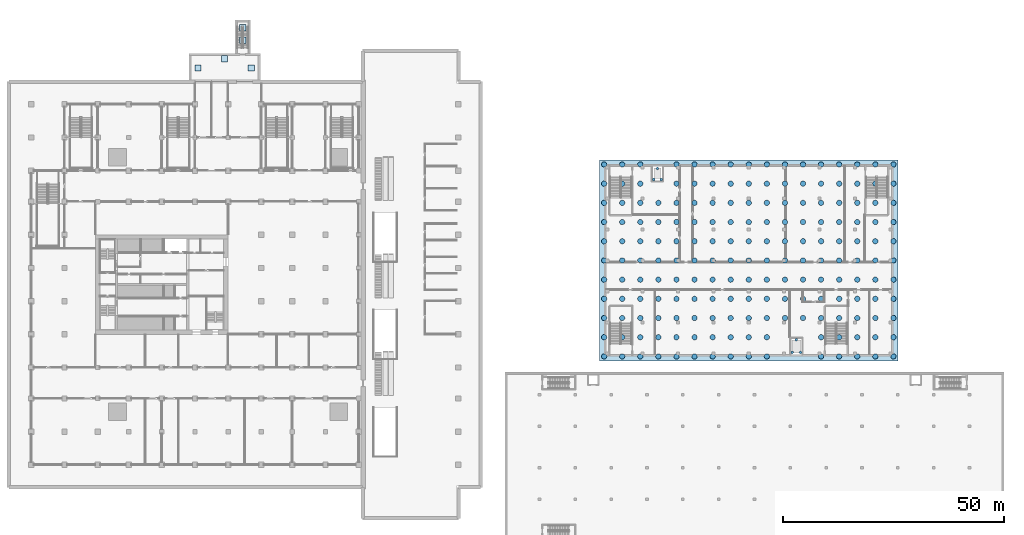
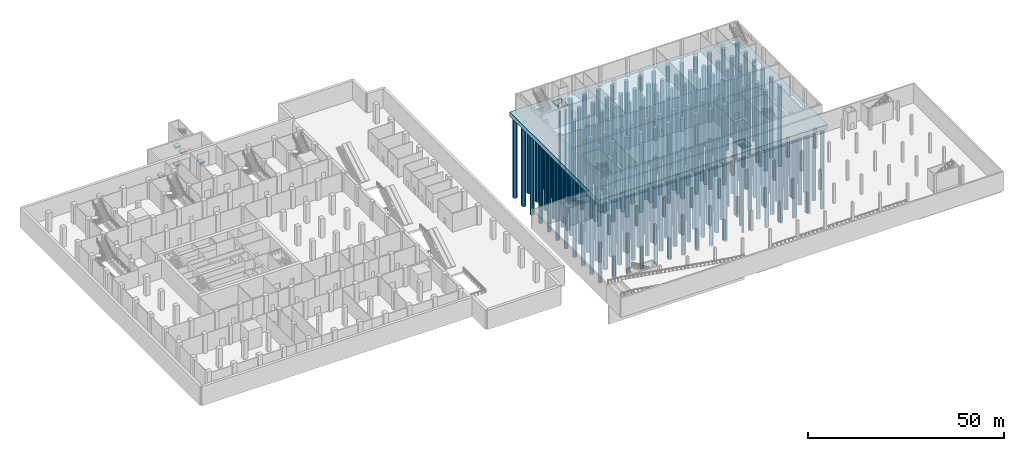
# One storey, part 1 of 45: 187 piles, 6 footings.
"""IFC4 building model written with IfcOpenShell, lengths in metres."""

from ifc_helpers import new_model, si_unit, direction, frame, origin, origin_2d, place, context, subcontext, project, spatial, polyline, rectangle, circle, outline, extrude, material, layer, layer_set, material_profile, profile_set, type_object, element, save


model = new_model("IFC4")

# Units and contexts
model_context = context("Model", 3, precision=1e-05, world=origin(), true_north=direction((0.0, 1.0)))
body_context = subcontext(model_context, "Body", "Model", "MODEL_VIEW")
ifc_project = project(units=[si_unit("LENGTHUNIT", "METRE"), si_unit("AREAUNIT", "SQUARE_METRE"), si_unit("VOLUMEUNIT", "CUBIC_METRE"), si_unit("PLANEANGLEUNIT", "RADIAN"), si_unit("MASSUNIT", "GRAM", prefix="KILO")], contexts=[model_context])

# Site, building, storey
site_placement = place(None, origin())
site = spatial("IfcSite", under=ifc_project, at=site_placement, CompositionType="ELEMENT")
building_placement = place(site_placement, origin())
building = spatial("IfcBuilding", under=site, at=building_placement, Name="Tamorin Gate", CompositionType="ELEMENT")
storey_placement = place(building_placement, frame((0.0, 0.0, -6.0)))
storey = spatial("IfcBuildingStorey", under=building, at=storey_placement, Name="B1", CompositionType="ELEMENT", Elevation=-6.0)

# Piles
ifc_material = material(Name="Concrete C40/50", Category="concrete")
ifc_material_profile_1 = material_profile(ifc_material, circle(Radius=0.60009765625, at=origin_2d()))
ifc_profile_set_1 = profile_set([ifc_material_profile_1], Name="Concrete C40/50")
pile_type_1 = type_object("IfcPileType", Name="Bored pile 1200 C40/50", PredefinedType="BORED", material=ifc_profile_set_1)
for number, where, z_axis, x_axis, name in (
    (1, (145.0, 55.0, -1.60009765625), (0.0, 0.0, -1.0), (1.0, 0.0, 0.0), "Museum pile"),
    (2, (145.0, 59.340087890625, -1.60009765625), (0.0, 0.0, -1.0), (1.0, 0.0, 0.0), "Museum pile"),
    (3, (145.0, 63.679931640625, -1.60009765625), (0.0, 0.0, -1.0), (1.0, 0.0, 0.0), "Museum pile"),
    (4, (145.0, 68.02001953125, -1.60009765625), (0.0, 0.0, -1.0), (1.0, 0.0, 0.0), "Museum pile"),
    (5, (145.0, 72.360107421875, -1.60009765625), (0.0, 0.0, -1.0), (1.0, 0.0, 0.0), "Museum pile"),
    (6, (145.0, 76.699951171875, -1.60009765625), (0.0, 0.0, -1.0), (1.0, 0.0, 0.0), "Museum pile"),
    (7, (145.0, 81.0400390625, -1.60009765625), (0.0, 0.0, -1.0), (1.0, 0.0, 0.0), "Museum pile"),
    (8, (145.0, 85.3798828125, -1.60009765625), (0.0, 0.0, -1.0), (1.0, 0.0, 0.0), "Museum pile"),
    (9, (145.0, 89.719970703125, -1.60009765625), (0.0, 0.0, -1.0), (1.0, 0.0, 0.0), "Museum pile"),
    (10, (145.0, 94.06005859375, -1.60009765625), (0.0, 0.0, -1.0), (1.0, 0.0, 0.0), "Museum pile"),
    (11, (145.0, 98.39990234375, -1.60009765625), (0.0, 0.0, -1.0), (1.0, 0.0, 0.0), "Museum pile"),
    (12, (149.08740234375, 55.0, -1.60009765625), (0.0, 0.0, -1.0), (1.0, 0.0, 0.0), "Museum pile"),
    (13, (149.08740234375, 59.340087890625, -1.60009765625), (0.0, 0.0, -1.0), (1.0, 0.0, 0.0), "Museum pile"),
    (14, (149.08740234375, 63.679931640625, -1.60009765625), (0.0, 0.0, -1.0), (1.0, 0.0, 0.0), "Museum pile"),
    (15, (149.08740234375, 68.02001953125, -1.60009765625), (0.0, 0.0, -1.0), (1.0, 0.0, 0.0), "Museum pile"),
    (16, (149.08740234375, 72.360107421875, -1.60009765625), (0.0, 0.0, -1.0), (1.0, 0.0, 0.0), "Museum pile"),
    (17, (149.08740234375, 76.699951171875, -1.60009765625), (0.0, 0.0, -1.0), (1.0, 0.0, 0.0), "Museum pile"),
    (18, (149.08740234375, 81.0400390625, -1.60009765625), (0.0, 0.0, -1.0), (1.0, 0.0, 0.0), "Museum pile"),
    (19, (149.08740234375, 85.3798828125, -1.60009765625), (0.0, 0.0, -1.0), (1.0, 0.0, 0.0), "Museum pile"),
    (20, (149.08740234375, 89.719970703125, -1.60009765625), (0.0, 0.0, -1.0), (1.0, 0.0, 0.0), "Museum pile"),
    (21, (149.08740234375, 94.06005859375, -1.60009765625), (0.0, 0.0, -1.0), (1.0, 0.0, 0.0), "Museum pile"),
    (22, (149.08740234375, 98.39990234375, -1.60009765625), (0.0, 0.0, -1.0), (1.0, 0.0, 0.0), "Museum pile"),
    (23, (153.175048828125, 55.0, -1.60009765625), (0.0, 0.0, -1.0), (1.0, 0.0, 0.0), "Museum pile"),
    (24, (153.175048828125, 59.340087890625, -1.60009765625), (0.0, 0.0, -1.0), (1.0, 0.0, 0.0), "Museum pile"),
    (25, (153.175048828125, 63.679931640625, -1.60009765625), (0.0, 0.0, -1.0), (1.0, 0.0, 0.0), "Museum pile"),
    (26, (153.175048828125, 68.02001953125, -1.60009765625), (0.0, 0.0, -1.0), (1.0, 0.0, 0.0), "Museum pile"),
    (27, (153.175048828125, 72.360107421875, -1.60009765625), (0.0, 0.0, -1.0), (1.0, 0.0, 0.0), "Museum pile"),
    (28, (153.175048828125, 76.699951171875, -1.60009765625), (0.0, 0.0, -1.0), (1.0, 0.0, 0.0), "Museum pile"),
    (29, (153.175048828125, 81.0400390625, -1.60009765625), (0.0, 0.0, -1.0), (1.0, 0.0, 0.0), "Museum pile"),
    (30, (153.175048828125, 85.3798828125, -1.60009765625), (0.0, 0.0, -1.0), (1.0, 0.0, 0.0), "Museum pile"),
    (31, (153.175048828125, 89.719970703125, -1.60009765625), (0.0, 0.0, -1.0), (1.0, 0.0, 0.0), "Museum pile"),
    (32, (153.175048828125, 94.06005859375, -1.60009765625), (0.0, 0.0, -1.0), (1.0, 0.0, 0.0), "Museum pile"),
    (33, (153.175048828125, 98.39990234375, -1.60009765625), (0.0, 0.0, -1.0), (1.0, 0.0, 0.0), "Museum pile"),
    (34, (157.262451171875, 55.0, -1.60009765625), (0.0, 0.0, -1.0), (1.0, 0.0, 0.0), "Museum pile"),
    (35, (157.262451171875, 59.340087890625, -1.60009765625), (0.0, 0.0, -1.0), (1.0, 0.0, 0.0), "Museum pile"),
    (36, (157.262451171875, 63.679931640625, -1.60009765625), (0.0, 0.0, -1.0), (1.0, 0.0, 0.0), "Museum pile"),
    (37, (157.262451171875, 68.02001953125, -1.60009765625), (0.0, 0.0, -1.0), (1.0, 0.0, 0.0), "Museum pile"),
    (38, (157.262451171875, 72.360107421875, -1.60009765625), (0.0, 0.0, -1.0), (1.0, 0.0, 0.0), "Museum pile"),
    (39, (157.262451171875, 76.699951171875, -1.60009765625), (0.0, 0.0, -1.0), (1.0, 0.0, 0.0), "Museum pile"),
    (40, (157.262451171875, 81.0400390625, -1.60009765625), (0.0, 0.0, -1.0), (1.0, 0.0, 0.0), "Museum pile"),
    (41, (157.262451171875, 85.3798828125, -1.60009765625), (0.0, 0.0, -1.0), (1.0, 0.0, 0.0), "Museum pile"),
    (42, (157.262451171875, 89.719970703125, -1.60009765625), (0.0, 0.0, -1.0), (1.0, 0.0, 0.0), "Museum pile"),
    (43, (161.35009765625, 55.0, -1.60009765625), (0.0, 0.0, -1.0), (1.0, 0.0, 0.0), "Museum pile"),
    (44, (161.35009765625, 59.340087890625, -1.60009765625), (0.0, 0.0, -1.0), (1.0, 0.0, 0.0), "Museum pile"),
    (45, (161.35009765625, 63.679931640625, -1.60009765625), (0.0, 0.0, -1.0), (1.0, 0.0, 0.0), "Museum pile"),
    (46, (161.35009765625, 68.02001953125, -1.60009765625), (0.0, 0.0, -1.0), (1.0, 0.0, 0.0), "Museum pile"),
    (47, (161.35009765625, 72.360107421875, -1.60009765625), (0.0, 0.0, -1.0), (1.0, 0.0, 0.0), "Museum pile"),
    (48, (161.35009765625, 76.699951171875, -1.60009765625), (0.0, 0.0, -1.0), (1.0, 0.0, 0.0), "Museum pile"),
    (49, (161.35009765625, 81.0400390625, -1.60009765625), (0.0, 0.0, -1.0), (1.0, 0.0, 0.0), "Museum pile"),
    (50, (161.35009765625, 85.3798828125, -1.60009765625), (0.0, 0.0, -1.0), (1.0, 0.0, 0.0), "Museum pile"),
    (51, (161.35009765625, 89.719970703125, -1.60009765625), (0.0, 0.0, -1.0), (1.0, 0.0, 0.0), "Museum pile"),
    (52, (161.35009765625, 94.06005859375, -1.60009765625), (0.0, 0.0, -1.0), (1.0, 0.0, 0.0), "Museum pile"),
    (53, (161.35009765625, 98.39990234375, -1.60009765625), (0.0, 0.0, -1.0), (1.0, 0.0, 0.0), "Museum pile"),
    (54, (165.4375, 55.0, -1.60009765625), (0.0, 0.0, -1.0), (1.0, 0.0, 0.0), "Museum pile"),
    (55, (165.4375, 59.340087890625, -1.60009765625), (0.0, 0.0, -1.0), (1.0, 0.0, 0.0), "Museum pile"),
    (56, (165.4375, 63.679931640625, -1.60009765625), (0.0, 0.0, -1.0), (1.0, 0.0, 0.0), "Museum pile"),
    (57, (165.4375, 68.02001953125, -1.60009765625), (0.0, 0.0, -1.0), (1.0, 0.0, 0.0), "Museum pile"),
    (58, (165.4375, 72.360107421875, -1.60009765625), (0.0, 0.0, -1.0), (1.0, 0.0, 0.0), "Museum pile"),
    (59, (165.4375, 76.699951171875, -1.60009765625), (0.0, 0.0, -1.0), (1.0, 0.0, 0.0), "Museum pile"),
    (60, (165.4375, 81.0400390625, -1.60009765625), (0.0, 0.0, -1.0), (1.0, 0.0, 0.0), "Museum pile"),
    (61, (165.4375, 85.3798828125, -1.60009765625), (0.0, 0.0, -1.0), (1.0, 0.0, 0.0), "Museum pile"),
    (62, (165.4375, 89.719970703125, -1.60009765625), (0.0, 0.0, -1.0), (1.0, 0.0, 0.0), "Museum pile"),
    (63, (165.4375, 94.06005859375, -1.60009765625), (0.0, 0.0, -1.0), (1.0, 0.0, 0.0), "Museum pile"),
    (64, (165.4375, 98.39990234375, -1.60009765625), (0.0, 0.0, -1.0), (1.0, 0.0, 0.0), "Museum pile"),
    (65, (169.52490234375, 55.0, -1.60009765625), (0.0, 0.0, -1.0), (1.0, 0.0, 0.0), "Museum pile"),
    (66, (169.52490234375, 59.340087890625, -1.60009765625), (0.0, 0.0, -1.0), (1.0, 0.0, 0.0), "Museum pile"),
    (67, (169.52490234375, 63.679931640625, -1.60009765625), (0.0, 0.0, -1.0), (1.0, 0.0, 0.0), "Museum pile"),
    (68, (169.52490234375, 68.02001953125, -1.60009765625), (0.0, 0.0, -1.0), (1.0, 0.0, 0.0), "Museum pile"),
    (69, (169.52490234375, 72.360107421875, -1.60009765625), (0.0, 0.0, -1.0), (1.0, 0.0, 0.0), "Museum pile"),
    (70, (169.52490234375, 76.699951171875, -1.60009765625), (0.0, 0.0, -1.0), (1.0, 0.0, 0.0), "Museum pile"),
    (71, (169.52490234375, 81.0400390625, -1.60009765625), (0.0, 0.0, -1.0), (1.0, 0.0, 0.0), "Museum pile"),
    (72, (169.52490234375, 85.3798828125, -1.60009765625), (0.0, 0.0, -1.0), (1.0, 0.0, 0.0), "Museum pile"),
    (73, (169.52490234375, 89.719970703125, -1.60009765625), (0.0, 0.0, -1.0), (1.0, 0.0, 0.0), "Museum pile"),
    (74, (169.52490234375, 94.06005859375, -1.60009765625), (0.0, 0.0, -1.0), (1.0, 0.0, 0.0), "Museum pile"),
    (75, (169.52490234375, 98.39990234375, -1.60009765625), (0.0, 0.0, -1.0), (1.0, 0.0, 0.0), "Museum pile"),
    (76, (173.612548828125, 55.0, -1.60009765625), (0.0, 0.0, -1.0), (1.0, 0.0, 0.0), "Museum pile"),
    (77, (173.612548828125, 59.340087890625, -1.60009765625), (0.0, 0.0, -1.0), (1.0, 0.0, 0.0), "Museum pile"),
    (78, (173.612548828125, 63.679931640625, -1.60009765625), (0.0, 0.0, -1.0), (1.0, 0.0, 0.0), "Museum pile"),
    (79, (173.612548828125, 68.02001953125, -1.60009765625), (0.0, 0.0, -1.0), (1.0, 0.0, 0.0), "Museum pile"),
    (80, (173.612548828125, 72.360107421875, -1.60009765625), (0.0, 0.0, -1.0), (1.0, 0.0, 0.0), "Museum pile"),
    (81, (173.612548828125, 76.699951171875, -1.60009765625), (0.0, 0.0, -1.0), (1.0, 0.0, 0.0), "Museum pile"),
    (82, (173.612548828125, 81.0400390625, -1.60009765625), (0.0, 0.0, -1.0), (1.0, 0.0, 0.0), "Museum pile"),
    (83, (173.612548828125, 85.3798828125, -1.60009765625), (0.0, 0.0, -1.0), (1.0, 0.0, 0.0), "Museum pile"),
    (84, (173.612548828125, 89.719970703125, -1.60009765625), (0.0, 0.0, -1.0), (1.0, 0.0, 0.0), "Museum pile"),
    (85, (173.612548828125, 94.06005859375, -1.60009765625), (0.0, 0.0, -1.0), (1.0, 0.0, 0.0), "Museum pile"),
    (86, (173.612548828125, 98.39990234375, -1.60009765625), (0.0, 0.0, -1.0), (1.0, 0.0, 0.0), "Museum pile"),
    (87, (177.699951171875, 55.0, -1.60009765625), (0.0, 0.0, -1.0), (1.0, 0.0, 0.0), "Museum pile"),
    (88, (177.699951171875, 59.340087890625, -1.60009765625), (0.0, 0.0, -1.0), (1.0, 0.0, 0.0), "Museum pile"),
    (89, (177.699951171875, 63.679931640625, -1.60009765625), (0.0, 0.0, -1.0), (1.0, 0.0, 0.0), "Museum pile"),
    (90, (177.699951171875, 68.02001953125, -1.60009765625), (0.0, 0.0, -1.0), (1.0, 0.0, 0.0), "Museum pile"),
    (91, (177.699951171875, 72.360107421875, -1.60009765625), (0.0, 0.0, -1.0), (1.0, 0.0, 0.0), "Museum pile"),
    (92, (177.699951171875, 76.699951171875, -1.60009765625), (0.0, 0.0, -1.0), (1.0, 0.0, 0.0), "Museum pile"),
    (93, (177.699951171875, 81.0400390625, -1.60009765625), (0.0, 0.0, -1.0), (1.0, 0.0, 0.0), "Museum pile"),
    (94, (177.699951171875, 85.3798828125, -1.60009765625), (0.0, 0.0, -1.0), (1.0, 0.0, 0.0), "Museum pile"),
    (95, (177.699951171875, 89.719970703125, -1.60009765625), (0.0, 0.0, -1.0), (1.0, 0.0, 0.0), "Museum pile"),
    (96, (177.699951171875, 94.06005859375, -1.60009765625), (0.0, 0.0, -1.0), (1.0, 0.0, 0.0), "Museum pile"),
    (97, (177.699951171875, 98.39990234375, -1.60009765625), (0.0, 0.0, -1.0), (1.0, 0.0, 0.0), "Museum pile"),
    (98, (181.78759765625, 55.0, -1.60009765625), (0.0, 0.0, -1.0), (1.0, 0.0, 0.0), "Museum pile"),
    (99, (181.78759765625, 59.340087890625, -1.60009765625), (0.0, 0.0, -1.0), (1.0, 0.0, 0.0), "Museum pile"),
    (100, (181.78759765625, 63.679931640625, -1.60009765625), (0.0, 0.0, -1.0), (1.0, 0.0, 0.0), "Museum pile"),
    (101, (181.78759765625, 68.02001953125, -1.60009765625), (0.0, 0.0, -1.0), (1.0, 0.0, 0.0), "Museum pile"),
    (102, (181.78759765625, 72.360107421875, -1.60009765625), (0.0, 0.0, -1.0), (1.0, 0.0, 0.0), "Museum pile"),
    (103, (181.78759765625, 76.699951171875, -1.60009765625), (0.0, 0.0, -1.0), (1.0, 0.0, 0.0), "Museum pile"),
    (104, (181.78759765625, 81.0400390625, -1.60009765625), (0.0, 0.0, -1.0), (1.0, 0.0, 0.0), "Museum pile"),
    (105, (181.78759765625, 85.3798828125, -1.60009765625), (0.0, 0.0, -1.0), (1.0, 0.0, 0.0), "Museum pile"),
    (106, (181.78759765625, 89.719970703125, -1.60009765625), (0.0, 0.0, -1.0), (1.0, 0.0, 0.0), "Museum pile"),
    (107, (181.78759765625, 94.06005859375, -1.60009765625), (0.0, 0.0, -1.0), (1.0, 0.0, 0.0), "Museum pile"),
    (108, (181.78759765625, 98.39990234375, -1.60009765625), (0.0, 0.0, -1.0), (1.0, 0.0, 0.0), "Museum pile"),
    (109, (185.875, 63.679931640625, -1.60009765625), (0.0, 0.0, -1.0), (1.0, 0.0, 0.0), "Museum pile"),
    (110, (185.875, 68.02001953125, -1.60009765625), (0.0, 0.0, -1.0), (1.0, 0.0, 0.0), "Museum pile"),
    (111, (185.875, 72.360107421875, -1.60009765625), (0.0, 0.0, -1.0), (1.0, 0.0, 0.0), "Museum pile"),
    (112, (185.875, 76.699951171875, -1.60009765625), (0.0, 0.0, -1.0), (1.0, 0.0, 0.0), "Museum pile"),
    (113, (185.875, 81.0400390625, -1.60009765625), (0.0, 0.0, -1.0), (1.0, 0.0, 0.0), "Museum pile"),
    (114, (185.875, 85.3798828125, -1.60009765625), (0.0, 0.0, -1.0), (1.0, 0.0, 0.0), "Museum pile"),
    (115, (185.875, 89.719970703125, -1.60009765625), (0.0, 0.0, -1.0), (1.0, 0.0, 0.0), "Museum pile"),
    (116, (185.875, 94.06005859375, -1.60009765625), (0.0, 0.0, -1.0), (1.0, 0.0, 0.0), "Museum pile"),
    (117, (185.875, 98.39990234375, -1.60009765625), (0.0, 0.0, -1.0), (1.0, 0.0, 0.0), "Museum pile"),
    (118, (189.96240234375, 63.679931640625, -1.60009765625), (0.0, 0.0, -1.0), (1.0, 0.0, 0.0), "Museum pile"),
    (119, (189.96240234375, 68.02001953125, -1.60009765625), (0.0, 0.0, -1.0), (1.0, 0.0, 0.0), "Museum pile"),
    (120, (189.96240234375, 72.360107421875, -1.60009765625), (0.0, 0.0, -1.0), (1.0, 0.0, 0.0), "Museum pile"),
    (121, (189.96240234375, 76.699951171875, -1.60009765625), (0.0, 0.0, -1.0), (1.0, 0.0, 0.0), "Museum pile"),
    (122, (189.96240234375, 81.0400390625, -1.60009765625), (0.0, 0.0, -1.0), (1.0, 0.0, 0.0), "Museum pile"),
    (123, (189.96240234375, 85.3798828125, -1.60009765625), (0.0, 0.0, -1.0), (1.0, 0.0, 0.0), "Museum pile"),
    (124, (189.96240234375, 89.719970703125, -1.60009765625), (0.0, 0.0, -1.0), (1.0, 0.0, 0.0), "Museum pile"),
    (125, (189.96240234375, 94.06005859375, -1.60009765625), (0.0, 0.0, -1.0), (1.0, 0.0, 0.0), "Museum pile"),
    (126, (189.96240234375, 98.39990234375, -1.60009765625), (0.0, 0.0, -1.0), (1.0, 0.0, 0.0), "Museum pile"),
    (127, (194.050048828125, 55.0, -1.60009765625), (0.0, 0.0, -1.0), (1.0, 0.0, 0.0), "Museum pile"),
    (128, (194.050048828125, 59.340087890625, -1.60009765625), (0.0, 0.0, -1.0), (1.0, 0.0, 0.0), "Museum pile"),
    (129, (194.050048828125, 63.679931640625, -1.60009765625), (0.0, 0.0, -1.0), (1.0, 0.0, 0.0), "Museum pile"),
    (130, (194.050048828125, 68.02001953125, -1.60009765625), (0.0, 0.0, -1.0), (1.0, 0.0, 0.0), "Museum pile"),
    (131, (194.050048828125, 72.360107421875, -1.60009765625), (0.0, 0.0, -1.0), (1.0, 0.0, 0.0), "Museum pile"),
    (132, (194.050048828125, 76.699951171875, -1.60009765625), (0.0, 0.0, -1.0), (1.0, 0.0, 0.0), "Museum pile"),
    (133, (194.050048828125, 81.0400390625, -1.60009765625), (0.0, 0.0, -1.0), (1.0, 0.0, 0.0), "Museum pile"),
    (134, (194.050048828125, 85.3798828125, -1.60009765625), (0.0, 0.0, -1.0), (1.0, 0.0, 0.0), "Museum pile"),
    (135, (194.050048828125, 89.719970703125, -1.60009765625), (0.0, 0.0, -1.0), (1.0, 0.0, 0.0), "Museum pile"),
    (136, (194.050048828125, 94.06005859375, -1.60009765625), (0.0, 0.0, -1.0), (1.0, 0.0, 0.0), "Museum pile"),
    (137, (194.050048828125, 98.39990234375, -1.60009765625), (0.0, 0.0, -1.0), (1.0, 0.0, 0.0), "Museum pile"),
    (138, (198.137451171875, 55.0, -1.60009765625), (0.0, 0.0, -1.0), (1.0, 0.0, 0.0), "Museum pile"),
    (139, (198.137451171875, 59.340087890625, -1.60009765625), (0.0, 0.0, -1.0), (1.0, 0.0, 0.0), "Museum pile"),
    (140, (198.137451171875, 63.679931640625, -1.60009765625), (0.0, 0.0, -1.0), (1.0, 0.0, 0.0), "Museum pile"),
    (141, (198.137451171875, 68.02001953125, -1.60009765625), (0.0, 0.0, -1.0), (1.0, 0.0, 0.0), "Museum pile"),
    (142, (198.137451171875, 72.360107421875, -1.60009765625), (0.0, 0.0, -1.0), (1.0, 0.0, 0.0), "Museum pile"),
    (143, (198.137451171875, 76.699951171875, -1.60009765625), (0.0, 0.0, -1.0), (1.0, 0.0, 0.0), "Museum pile"),
    (144, (198.137451171875, 81.0400390625, -1.60009765625), (0.0, 0.0, -1.0), (1.0, 0.0, 0.0), "Museum pile"),
    (145, (198.137451171875, 85.3798828125, -1.60009765625), (0.0, 0.0, -1.0), (1.0, 0.0, 0.0), "Museum pile"),
    (146, (198.137451171875, 89.719970703125, -1.60009765625), (0.0, 0.0, -1.0), (1.0, 0.0, 0.0), "Museum pile"),
    (147, (198.137451171875, 94.06005859375, -1.60009765625), (0.0, 0.0, -1.0), (1.0, 0.0, 0.0), "Museum pile"),
    (148, (198.137451171875, 98.39990234375, -1.60009765625), (0.0, 0.0, -1.0), (1.0, 0.0, 0.0), "Museum pile"),
    (149, (202.22509765625, 55.0, -1.60009765625), (0.0, 0.0, -1.0), (1.0, 0.0, 0.0), "Museum pile"),
    (150, (202.22509765625, 59.340087890625, -1.60009765625), (0.0, 0.0, -1.0), (1.0, 0.0, 0.0), "Museum pile"),
    (151, (202.22509765625, 63.679931640625, -1.60009765625), (0.0, 0.0, -1.0), (1.0, 0.0, 0.0), "Museum pile"),
    (152, (202.22509765625, 68.02001953125, -1.60009765625), (0.0, 0.0, -1.0), (1.0, 0.0, 0.0), "Museum pile"),
    (153, (202.22509765625, 72.360107421875, -1.60009765625), (0.0, 0.0, -1.0), (1.0, 0.0, 0.0), "Museum pile"),
    (154, (202.22509765625, 76.699951171875, -1.60009765625), (0.0, 0.0, -1.0), (1.0, 0.0, 0.0), "Museum pile"),
    (155, (202.22509765625, 81.0400390625, -1.60009765625), (0.0, 0.0, -1.0), (1.0, 0.0, 0.0), "Museum pile"),
    (156, (202.22509765625, 85.3798828125, -1.60009765625), (0.0, 0.0, -1.0), (1.0, 0.0, 0.0), "Museum pile"),
    (157, (202.22509765625, 89.719970703125, -1.60009765625), (0.0, 0.0, -1.0), (1.0, 0.0, 0.0), "Museum pile"),
    (158, (202.22509765625, 94.06005859375, -1.60009765625), (0.0, 0.0, -1.0), (1.0, 0.0, 0.0), "Museum pile"),
    (159, (202.22509765625, 98.39990234375, -1.60009765625), (0.0, 0.0, -1.0), (1.0, 0.0, 0.0), "Museum pile"),
    (160, (206.3125, 55.0, -1.60009765625), (0.0, 0.0, -1.0), (1.0, 0.0, 0.0), "Museum pile"),
    (161, (206.3125, 59.340087890625, -1.60009765625), (0.0, 0.0, -1.0), (1.0, 0.0, 0.0), "Museum pile"),
    (162, (206.3125, 63.679931640625, -1.60009765625), (0.0, 0.0, -1.0), (1.0, 0.0, 0.0), "Museum pile"),
    (163, (206.3125, 68.02001953125, -1.60009765625), (0.0, 0.0, -1.0), (1.0, 0.0, 0.0), "Museum pile"),
    (164, (206.3125, 72.360107421875, -1.60009765625), (0.0, 0.0, -1.0), (1.0, 0.0, 0.0), "Museum pile"),
    (165, (206.3125, 76.699951171875, -1.60009765625), (0.0, 0.0, -1.0), (1.0, 0.0, 0.0), "Museum pile"),
    (166, (206.3125, 81.0400390625, -1.60009765625), (0.0, 0.0, -1.0), (1.0, 0.0, 0.0), "Museum pile"),
    (167, (206.3125, 85.3798828125, -1.60009765625), (0.0, 0.0, -1.0), (1.0, 0.0, 0.0), "Museum pile"),
    (168, (206.3125, 89.719970703125, -1.60009765625), (0.0, 0.0, -1.0), (1.0, 0.0, 0.0), "Museum pile"),
    (169, (206.3125, 94.06005859375, -1.60009765625), (0.0, 0.0, -1.0), (1.0, 0.0, 0.0), "Museum pile"),
    (170, (206.3125, 98.39990234375, -1.60009765625), (0.0, 0.0, -1.0), (1.0, 0.0, 0.0), "Museum pile"),
    (171, (210.39990234375, 55.0, -1.60009765625), (0.0, 0.0, -1.0), (1.0, 0.0, 0.0), "Museum pile"),
    (172, (210.39990234375, 59.340087890625, -1.60009765625), (0.0, 0.0, -1.0), (1.0, 0.0, 0.0), "Museum pile"),
    (173, (210.39990234375, 63.679931640625, -1.60009765625), (0.0, 0.0, -1.0), (1.0, 0.0, 0.0), "Museum pile"),
    (174, (210.39990234375, 68.02001953125, -1.60009765625), (0.0, 0.0, -1.0), (1.0, 0.0, 0.0), "Museum pile"),
    (175, (210.39990234375, 72.360107421875, -1.60009765625), (0.0, 0.0, -1.0), (1.0, 0.0, 0.0), "Museum pile"),
    (176, (210.39990234375, 76.699951171875, -1.60009765625), (0.0, 0.0, -1.0), (1.0, 0.0, 0.0), "Museum pile"),
    (177, (210.39990234375, 81.0400390625, -1.60009765625), (0.0, 0.0, -1.0), (1.0, 0.0, 0.0), "Museum pile"),
    (178, (210.39990234375, 85.3798828125, -1.60009765625), (0.0, 0.0, -1.0), (1.0, 0.0, 0.0), "Museum pile"),
    (179, (210.39990234375, 89.719970703125, -1.60009765625), (0.0, 0.0, -1.0), (1.0, 0.0, 0.0), "Museum pile"),
    (180, (210.39990234375, 94.06005859375, -1.60009765625), (0.0, 0.0, -1.0), (1.0, 0.0, 0.0), "Museum pile"),
    (181, (210.39990234375, 98.39990234375, -1.60009765625), (0.0, 0.0, -1.0), (1.0, 0.0, 0.0), "Museum pile"),
):
    element("IfcPile", number, at=place(storey_placement, frame(where, z_axis=z_axis, x_axis=x_axis)), inside=storey, type_object=pile_type_1, Name=name, PredefinedType="BORED", context=body_context, shape_type="SweptSolid", body=[
        extrude(circle(Radius=0.60009765625, at=origin_2d()), origin(), (0.0, 0.0, 1.0), 25.0),
    ])
ifc_material_profile_2 = material_profile(ifc_material, circle(Radius=0.300048828125, at=origin_2d()))
ifc_profile_set_2 = profile_set([ifc_material_profile_2], Name="Concrete C40/50")
pile_type_2 = type_object("IfcPileType", Name="Bored pile 600 C40/50", PredefinedType="BORED", material=ifc_profile_set_2)
for number, where, z_axis, x_axis, name in (
    (182, (156.199951171875, 95.0, -1.60009765625), (0.0, 0.0, -1.0), (1.0, 0.0, 0.0), "Museum pile"),
    (183, (157.89990234375, 95.0, -1.60009765625), (0.0, 0.0, -1.0), (1.0, 0.0, 0.0), "Museum pile"),
    (184, (157.050048828125, 97.5, -1.60009765625), (0.0, 0.0, -1.0), (1.0, 0.0, 0.0), "Museum pile"),
    (185, (187.5, 55.89990234375, -1.60009765625), (0.0, 0.0, -1.0), (1.0, 0.0, 0.0), "Museum pile"),
    (186, (189.39990234375, 55.89990234375, -1.60009765625), (0.0, 0.0, -1.0), (1.0, 0.0, 0.0), "Museum pile"),
    (187, (188.449951171875, 58.800048828125, -1.60009765625), (0.0, 0.0, -1.0), (1.0, 0.0, 0.0), "Museum pile"),
):
    element("IfcPile", number, at=place(storey_placement, frame(where, z_axis=z_axis, x_axis=x_axis)), inside=storey, type_object=pile_type_2, Name=name, PredefinedType="BORED", context=body_context, shape_type="SweptSolid", body=[
        extrude(circle(Radius=0.300048828125, at=origin_2d()), origin(), (0.0, 0.0, 1.0), 25.0),
    ])

# Footings
footing_type_1 = type_object("IfcFootingType", Name="RC pad footing 1400x1400x600 C40/50", PredefinedType="PAD_FOOTING", material=ifc_material)
for number, where, z_axis, x_axis, name in (
    (188, (53.199951171875, 120.199951171875, -1.10009765625), (0.0, 0.0, 1.0), (1.0, 0.0, 0.0), "Service court pad"),
    (189, (65.199951171875, 120.199951171875, -1.10009765625), (0.0, 0.0, 1.0), (1.0, 0.0, 0.0), "Service court pad"),
    (190, (59.199951171875, 122.300048828125, -1.10009765625), (0.0, 0.0, 1.0), (1.0, 0.0, 0.0), "Service court pad"),
    (191, (63.300048828125, 126.5, -1.10009765625), (0.0, 0.0, 1.0), (1.0, 0.0, 0.0), "Service court pad"),
    (192, (63.300048828125, 129.300048828125, -1.10009765625), (0.0, 0.0, 1.0), (1.0, 0.0, 0.0), "Service court pad"),
):
    element("IfcFooting", number, at=place(storey_placement, frame(where, z_axis=z_axis, x_axis=x_axis)), inside=storey, type_object=footing_type_1, Name=name, PredefinedType="PAD_FOOTING", context=body_context, shape_type="SweptSolid", body=[
        extrude(rectangle(XDim=1.39990234375, YDim=1.39990234375, at=origin_2d()), origin(), (0.0, 0.0, 1.0), 0.60009765625),
    ])
ifc_layer = layer(ifc_material, 1.39990234375)
ifc_layer_set = layer_set([ifc_layer], Name="RC raft 1400 C40/50")
footing_type_2 = type_object("IfcFootingType", Name="RC raft 1400 C40/50", PredefinedType="PAD_FOOTING", material=ifc_layer_set)
footing_placement = place(storey_placement, frame((0.0, 0.0, -1.699951171875)))
element("IfcFooting", 193, at=footing_placement, inside=storey, type_object=footing_type_2, Name="Museum raft", PredefinedType="PAD_FOOTING", context=body_context, shape_type="SweptSolid", body=[
    extrude(outline(polyline([(144.0, 54.0), (144.0, 99.39990234375), (211.39990234375, 99.39990234375), (211.39990234375, 54.0), (144.0, 54.0)]), holes=[polyline([(189.89990234375, 55.39990234375), (189.89990234375, 59.300048828125), (187.0, 59.300048828125), (187.0, 55.39990234375), (189.89990234375, 55.39990234375)]), polyline([(158.39990234375, 94.5), (158.39990234375, 98.0), (155.699951171875, 98.0), (155.699951171875, 94.5), (158.39990234375, 94.5)])]), origin(), (0.0, 0.0, 1.0), 1.39990234375),
])

save(model, "model.ifc")
